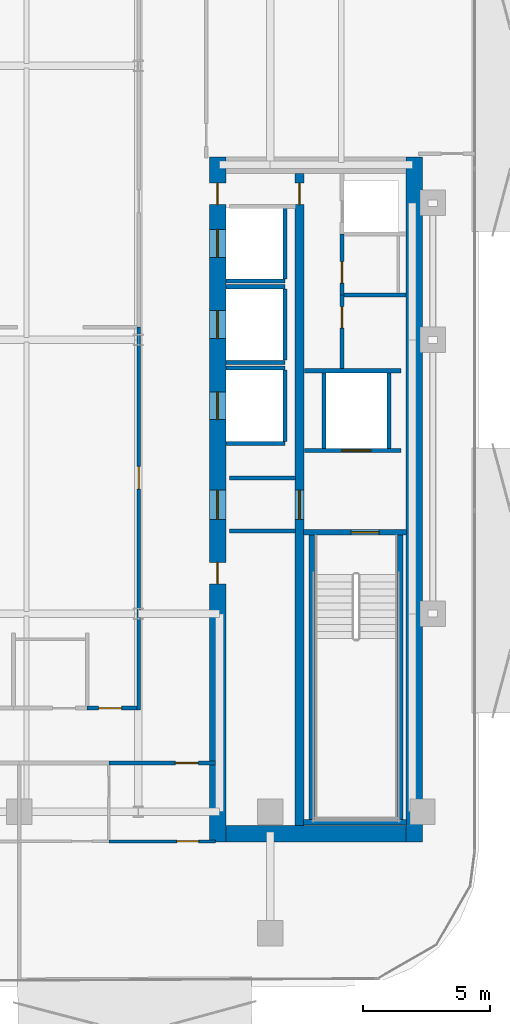
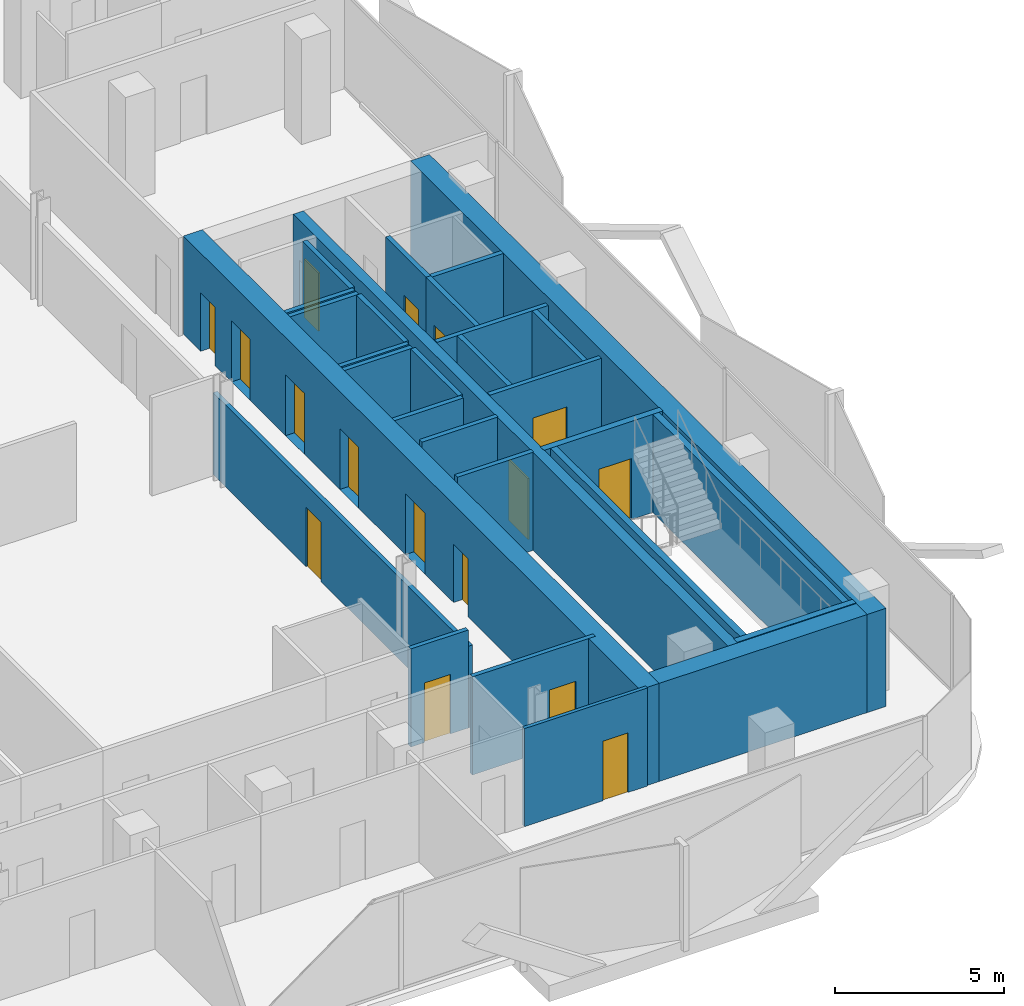
# One storey, part 5 of 17: 29 walls, 16 doors, 16 openings.
"""IFC4 building model written with IfcOpenShell, lengths in metres."""

from ifc_helpers import new_model, si_unit, direction, frame, frame_2d, origin, place, context, subcontext, project, spatial, rectangle, extrude, material, layer, layer_set, type_object, element, fill, save


model = new_model("IFC4")

# Units and contexts
model_context = context("Model", 3, precision=1e-05, world=origin(), true_north=direction((0.0, 1.0)))
body_context = subcontext(model_context, "Body", "Model", "MODEL_VIEW")
ifc_project = project(units=[si_unit("LENGTHUNIT", "METRE"), si_unit("AREAUNIT", "SQUARE_METRE"), si_unit("VOLUMEUNIT", "CUBIC_METRE"), si_unit("PLANEANGLEUNIT", "RADIAN"), si_unit("MASSUNIT", "GRAM", prefix="KILO")], contexts=[model_context])

# Site, building, storey
site_placement = place(None, origin())
site = spatial("IfcSite", under=ifc_project, at=site_placement, CompositionType="ELEMENT")
building_placement = place(site_placement, origin())
building = spatial("IfcBuilding", under=site, at=building_placement, Name="Khairoan Windgate Tower", CompositionType="ELEMENT")
storey_placement = place(building_placement, frame((0.0, 0.0, 180.199951171875)))
storey = spatial("IfcBuildingStorey", under=building, at=storey_placement, Name="L41", CompositionType="ELEMENT", Elevation=180.199951171875)

# Walls
ifc_material_1 = material(Name="Concrete C40/50", Category="concrete")
ifc_layer_1 = layer(ifc_material_1, 0.159912109375, Name="Concrete C40/50")
ifc_layer_set_1 = layer_set([ifc_layer_1], Name="Concrete C40/50")
wall_type_1 = type_object("IfcWallType", Name="Core and Hoistway Enclosure Wall", PredefinedType="STANDARD", material=ifc_layer_set_1)
wall_1_placement = place(storey_placement, frame((12.64990234375, 2.31005859375, 0.0), z_axis=(0.0, 0.0, 1.0), x_axis=(1.0, 0.0, 0.0)))
element("IfcWall", 1, at=wall_1_placement, inside=storey, type_object=wall_type_1, Name="L41 Lift PL7 Hoistway Divider S", PredefinedType="STANDARD", context=body_context, shape_type="SweptSolid", body=[
    extrude(rectangle(XDim=2.340087890625, YDim=0.159912109375, at=frame_2d((1.169921875, 0.0))), origin(), (0.0, 0.0, 1.0), 3.5400390625),
])
wall_2_placement = place(storey_placement, frame((14.989990234375, 2.39990234375, 0.0), z_axis=(0.0, 0.0, 1.0), x_axis=(0.0, 1.0, 0.0)))
element("IfcWall", 2, at=wall_2_placement, inside=storey, type_object=wall_type_1, Name="L41 Lift PL7 Hoistway Back Wall", PredefinedType="STANDARD", context=body_context, shape_type="SweptSolid", body=[
    extrude(rectangle(XDim=2.800048828125, YDim=0.159912109375, at=frame_2d((1.39990234375, 0.0))), origin(), (0.0, 0.0, 1.0), 3.5400390625),
])
for number, where, z_axis, x_axis, name in (
    (3, (12.64990234375, -0.889892578125, 0.0), (0.0, 0.0, 1.0), (1.0, 0.0, 0.0), "L41 Lift PL8 Hoistway Divider S"),
    (4, (12.64990234375, 2.090087890625, 0.0), (0.0, 0.0, 1.0), (1.0, 0.0, 0.0), "L41 Lift PL8 Hoistway Divider N"),
):
    element("IfcWall", number, at=place(storey_placement, frame(where, z_axis=z_axis, x_axis=x_axis)), inside=storey, type_object=wall_type_1, Name=name, PredefinedType="STANDARD", context=body_context, shape_type="SweptSolid", body=[
        extrude(rectangle(XDim=2.340087890625, YDim=0.159912109375, at=frame_2d((1.169921875, 0.0))), origin(), (0.0, 0.0, 1.0), 3.5400390625),
    ])
wall_3_placement = place(storey_placement, frame((14.989990234375, -0.800048828125, 0.0), z_axis=(0.0, 0.0, 1.0), x_axis=(0.0, 1.0, 0.0)))
element("IfcWall", 5, at=wall_3_placement, inside=storey, type_object=wall_type_1, Name="L41 Lift PL8 Hoistway Back Wall", PredefinedType="STANDARD", context=body_context, shape_type="SweptSolid", body=[
    extrude(rectangle(XDim=2.800048828125, YDim=0.159912109375, at=frame_2d((1.39990234375, 0.0))), origin(), (0.0, 0.0, 1.0), 3.5400390625),
])
for number, where, z_axis, x_axis, name in (
    (6, (12.64990234375, -4.090087890625, 0.0), (0.0, 0.0, 1.0), (1.0, 0.0, 0.0), "L41 Lift PL9 Hoistway Divider S"),
    (7, (12.64990234375, -1.110107421875, 0.0), (0.0, 0.0, 1.0), (1.0, 0.0, 0.0), "L41 Lift PL9 Hoistway Divider N"),
):
    element("IfcWall", number, at=place(storey_placement, frame(where, z_axis=z_axis, x_axis=x_axis)), inside=storey, type_object=wall_type_1, Name=name, PredefinedType="STANDARD", context=body_context, shape_type="SweptSolid", body=[
        extrude(rectangle(XDim=2.340087890625, YDim=0.159912109375, at=frame_2d((1.169921875, 0.0))), origin(), (0.0, 0.0, 1.0), 3.5400390625),
    ])
wall_4_placement = place(storey_placement, frame((14.989990234375, -4.0, 0.0), z_axis=(0.0, 0.0, 1.0), x_axis=(0.0, 1.0, 0.0)))
element("IfcWall", 8, at=wall_4_placement, inside=storey, type_object=wall_type_1, Name="L41 Lift PL9 Hoistway Back Wall", PredefinedType="STANDARD", context=body_context, shape_type="SweptSolid", body=[
    extrude(rectangle(XDim=2.800048828125, YDim=0.159912109375, at=frame_2d((1.39990234375, 0.0))), origin(), (0.0, 0.0, 1.0), 3.5400390625),
])

# Wall, opening, door
wall_5_placement = place(storey_placement, frame((15.75, -4.360107421875, 0.0), z_axis=(0.0, 0.0, 1.0), x_axis=(1.0, 0.0, 0.0)))
wall_5 = element("IfcWall", 9, at=wall_5_placement, inside=storey, type_object=wall_type_1, Name="L41 Core Shaft Wall SW-FL1-L41", PredefinedType="STANDARD", context=body_context, shape_type="SweptSolid", body=[
    extrude(rectangle(XDim=3.800048828125, YDim=0.159912109375, at=frame_2d((1.89990234375, 0.0))), origin(), (0.0, 0.0, 1.0), 3.5400390625),
])
opening_1_placement = place(wall_5_placement, frame((1.469970703125, 0.0, 0.0)))
opening_1 = element("IfcOpeningElement", 10, at=opening_1_placement, cuts=wall_5, Name="Opening LD-FL", PredefinedType="OPENING", context=body_context, shape_type="SweptSolid", body=[
    extrude(rectangle(XDim=1.14990234375, YDim=2.199951171875, at=frame_2d((0.574951171875, 1.10009765625))), frame((0.0, 0.08984375, 0.0), z_axis=(0.0, -1.0, 0.0), x_axis=(1.0, 0.0, 0.0)), (0.0, 0.0, 1.0), 0.179931640625),
])
ifc_material_2 = material(Name="Steel S355", Category="steel")
door_type_1 = type_object("IfcDoorType", Name="Firefighting Lift Sliding Landing Door LD-FL 1150x2200", OperationType="DOUBLE_DOOR_SLIDING", PredefinedType="DOOR", material=ifc_material_2)
door_1_placement = place(opening_1_placement, origin())
door_1 = element("IfcDoor", 11, at=door_1_placement, inside=storey, type_object=door_type_1, Name="L41 Firefighting Lift FL1 Landing Door", OperationType="DOUBLE_DOOR_SLIDING", OverallHeight=2.199951171875, OverallWidth=1.14990234375, PredefinedType="DOOR", context=body_context, shape_type="SweptSolid", body=[
    extrude(rectangle(XDim=1.14990234375, YDim=2.199951171875, at=frame_2d((0.574951171875, 1.10009765625))), frame((0.0, 0.02490234375, 0.0), z_axis=(0.0, -1.0, 0.0), x_axis=(1.0, 0.0, 0.0)), (0.0, 0.0, 1.0), 0.050048828125),
])
fill(opening_1, door_1)

# Walls
wall_6_placement = place(storey_placement, frame((15.75, -1.219970703125, 0.0), z_axis=(0.0, 0.0, 1.0), x_axis=(1.0, 0.0, 0.0)))
element("IfcWall", 12, at=wall_6_placement, inside=storey, type_object=wall_type_1, Name="L41 Core Shaft Wall SW-FL1T-L41", PredefinedType="STANDARD", context=body_context, shape_type="SweptSolid", body=[
    extrude(rectangle(XDim=3.800048828125, YDim=0.159912109375, at=frame_2d((1.89990234375, 0.0))), origin(), (0.0, 0.0, 1.0), 3.5400390625),
])
for number, where, z_axis, x_axis, name in (
    (13, (16.52001953125, -4.280029296875, 0.0), (0.0, 0.0, 1.0), (0.0, 1.0, 0.0), "L41 Core Shaft Wall SW-FL1W-L41"),
    (14, (19.080078125, -4.280029296875, 0.0), (0.0, 0.0, 1.0), (0.0, 1.0, 0.0), "L41 Core Shaft Wall SW-FL1E-L41"),
):
    element("IfcWall", number, at=place(storey_placement, frame(where, z_axis=z_axis, x_axis=x_axis)), inside=storey, type_object=wall_type_1, Name=name, PredefinedType="STANDARD", context=body_context, shape_type="SweptSolid", body=[
        extrude(rectangle(XDim=2.97998046875, YDim=0.159912109375, at=frame_2d((1.489990234375, 0.0))), origin(), (0.0, 0.0, 1.0), 3.5400390625),
    ])
for number, where, z_axis, x_axis, name in (
    (15, (12.800048828125, -5.449951171875, 0.0), (0.0, 0.0, 1.0), (1.0, 0.0, 0.0), "L41 Core Shaft Wall SW-EV1-L41"),
    (16, (12.800048828125, -7.5400390625, 0.0), (0.0, 0.0, 1.0), (1.0, 0.0, 0.0), "L41 Core Shaft Wall SW-EV2-L41"),
):
    element("IfcWall", number, at=place(storey_placement, frame(where, z_axis=z_axis, x_axis=x_axis)), inside=storey, type_object=wall_type_1, Name=name, PredefinedType="STANDARD", context=body_context, shape_type="SweptSolid", body=[
        extrude(rectangle(XDim=2.599853515625, YDim=0.159912109375, at=frame_2d((1.2998046875, 0.0))), origin(), (0.0, 0.0, 1.0), 3.5400390625),
    ])

# Wall, opening, door
ifc_material_3 = material(Name="Gypsum Stud Partition", Category="gypsum")
ifc_layer_2 = layer(ifc_material_3, 0.1201171875, Name="Gypsum Stud Partition")
ifc_layer_set_2 = layer_set([ifc_layer_2], Name="Gypsum Stud Partition")
wall_type_2 = type_object("IfcWallType", Name="Internal Room Partition Wall", PredefinedType="PARTITIONING", material=ifc_layer_set_2)
wall_7_placement = place(storey_placement, frame((8.0400390625, -19.77001953125, 0.0), z_axis=(0.0, 0.0, 1.0), x_axis=(1.0, 0.0, 0.0)))
wall_7 = element("IfcWall", 17, at=wall_7_placement, inside=storey, type_object=wall_type_2, Name="L41 Interior Partition 093", PredefinedType="PARTITIONING", context=body_context, shape_type="SweptSolid", body=[
    extrude(rectangle(XDim=4.199951171875, YDim=0.1201171875, at=frame_2d((2.10009765625, 0.0))), origin(), (0.0, 0.0, 1.0), 3.5400390625),
])
opening_2_placement = place(wall_7_placement, frame((2.67822265625, 0.0, 0.0)))
opening_2 = element("IfcOpeningElement", 18, at=opening_2_placement, cuts=wall_7, Name="Opening ID-RM", PredefinedType="OPENING", context=body_context, shape_type="SweptSolid", body=[
    extrude(rectangle(XDim=0.860107421875, YDim=2.14990234375, at=frame_2d((0.43017578125, 1.074951171875))), frame((0.0, 0.070068359375, 0.0), z_axis=(0.0, -1.0, 0.0), x_axis=(1.0, 0.0, 0.0)), (0.0, 0.0, 1.0), 0.14013671875),
])
ifc_material_4 = material(Name="Teak Veneer Timber Leaf", Category="wood")
door_type_2 = type_object("IfcDoorType", Name="Internal Bedroom and Office Door ID-RM 860x2150", OperationType="NOTDEFINED", PredefinedType="DOOR", material=ifc_material_4)
door_2_placement = place(opening_2_placement, origin())
door_2 = element("IfcDoor", 19, at=door_2_placement, inside=storey, type_object=door_type_2, Name="L41 L41-64-L41-65 Door", OperationType="SINGLE_SWING_RIGHT", OverallHeight=2.14990234375, OverallWidth=0.860107421875, PredefinedType="DOOR", context=body_context, shape_type="SweptSolid", body=[
    extrude(rectangle(XDim=0.860107421875, YDim=2.14990234375, at=frame_2d((0.43017578125, 1.074951171875))), frame((0.0, 0.02490234375, 0.0), z_axis=(0.0, -1.0, 0.0), x_axis=(1.0, 0.0, 0.0)), (0.0, 0.0, 1.0), 0.050048828125),
])
fill(opening_2, door_2)

ifc_material_5 = material(Name="Concrete C40/50", Category="concrete")
ifc_layer_3 = layer(ifc_material_5, 0.159912109375, Name="Concrete C40/50")
ifc_layer_set_3 = layer_set([ifc_layer_3], Name="Concrete C40/50")
wall_type_3 = type_object("IfcWallType", Name="Plant and Refuge Compartment Wall", PredefinedType="PARTITIONING", material=ifc_layer_set_3)
wall_8_placement = place(storey_placement, frame((17.22998046875, 1.77001953125, 0.0), z_axis=(0.0, 0.0, 1.0), x_axis=(0.0, 1.0, 0.0)))
wall_8 = element("IfcWall", 20, at=wall_8_placement, inside=storey, type_object=wall_type_3, Name="L41 Interior Partition 008", PredefinedType="PARTITIONING", context=body_context, shape_type="SweptSolid", body=[
    extrude(rectangle(XDim=2.39990234375, YDim=0.159912109375, at=frame_2d((1.199951171875, 0.0))), origin(), (0.0, 0.0, 1.0), 3.5400390625),
])
opening_3_placement = place(wall_8_placement, frame((0.4599609375, 0.0, 0.0)))
opening_3 = element("IfcOpeningElement", 21, at=opening_3_placement, cuts=wall_8, Name="Opening FD-SRV", PredefinedType="OPENING", context=body_context, shape_type="SweptSolid", body=[
    extrude(rectangle(XDim=0.85009765625, YDim=2.10009765625, at=frame_2d((0.425048828125, 1.050048828125))), frame((0.0, 0.08984375, 0.0), z_axis=(0.0, -1.0, 0.0), x_axis=(1.0, 0.0, 0.0)), (0.0, 0.0, 1.0), 0.179931640625),
])
ifc_material_6 = material(Name="Steel S355", Category="steel")
door_type_3 = type_object("IfcDoorType", Name="Core Service and Riser Fire Door FD-SRV 850x2100", OperationType="NOTDEFINED", PredefinedType="DOOR", material=ifc_material_6)
door_3_placement = place(opening_3_placement, origin())
door_3 = element("IfcDoor", 22, at=door_3_placement, inside=storey, type_object=door_type_3, Name="L41 L41-18-L41-20 Door", OperationType="SINGLE_SWING_RIGHT", OverallHeight=2.10009765625, OverallWidth=0.85009765625, PredefinedType="DOOR", context=body_context, shape_type="SweptSolid", body=[
    extrude(rectangle(XDim=0.85009765625, YDim=2.10009765625, at=frame_2d((0.425048828125, 1.050048828125))), frame((0.0, 0.02490234375, 0.0), z_axis=(0.0, -1.0, 0.0), x_axis=(1.0, 0.0, 0.0)), (0.0, 0.0, 1.0), 0.050048828125),
])
fill(opening_3, door_3)

wall_9_placement = place(storey_placement, frame((17.22998046875, -1.139892578125, 0.0), z_axis=(0.0, 0.0, 1.0), x_axis=(0.0, 1.0, 0.0)))
wall_9 = element("IfcWall", 23, at=wall_9_placement, inside=storey, type_object=wall_type_3, Name="L41 Interior Partition 009", PredefinedType="PARTITIONING", context=body_context, shape_type="SweptSolid", body=[
    extrude(rectangle(XDim=2.909912109375, YDim=0.159912109375, at=frame_2d((1.455078125, 0.0))), origin(), (0.0, 0.0, 1.0), 3.5400390625),
])
opening_4_placement = place(wall_9_placement, frame((1.60009765625, 0.0, 0.0)))
opening_4 = element("IfcOpeningElement", 24, at=opening_4_placement, cuts=wall_9, Name="Opening FD-SRV", PredefinedType="OPENING", context=body_context, shape_type="SweptSolid", body=[
    extrude(rectangle(XDim=0.85009765625, YDim=2.10009765625, at=frame_2d((0.425048828125, 1.050048828125))), frame((0.0, 0.08984375, 0.0), z_axis=(0.0, -1.0, 0.0), x_axis=(1.0, 0.0, 0.0)), (0.0, 0.0, 1.0), 0.179931640625),
])
door_4_placement = place(opening_4_placement, origin())
door_4 = element("IfcDoor", 25, at=door_4_placement, inside=storey, type_object=door_type_3, Name="L41 L41-18-L41-21 Door", OperationType="SINGLE_SWING_LEFT", OverallHeight=2.10009765625, OverallWidth=0.85009765625, PredefinedType="DOOR", context=body_context, shape_type="SweptSolid", body=[
    extrude(rectangle(XDim=0.85009765625, YDim=2.10009765625, at=frame_2d((0.425048828125, 1.050048828125))), frame((0.0, 0.02490234375, 0.0), z_axis=(0.0, -1.0, 0.0), x_axis=(1.0, 0.0, 0.0)), (0.0, 0.0, 1.0), 0.050048828125),
])
fill(opening_4, door_4)

# Wall
wall_10_placement = place(storey_placement, frame((17.31005859375, 1.77001953125, 0.0), z_axis=(0.0, 0.0, 1.0), x_axis=(1.0, 0.0, 0.0)))
element("IfcWall", 26, at=wall_10_placement, inside=storey, type_object=wall_type_3, Name="L41 Interior Partition 011", PredefinedType="PARTITIONING", context=body_context, shape_type="SweptSolid", body=[
    extrude(rectangle(XDim=2.43994140625, YDim=0.159912109375, at=frame_2d((1.219970703125, 0.0))), origin(), (0.0, 0.0, 1.0), 3.5400390625),
])

# Wall, opening, door
ifc_material_7 = material(Name="Acoustic Fire-Rated Gypsum Partition", Category="gypsum")
ifc_layer_4 = layer(ifc_material_7, 0.14990234375, Name="Acoustic Fire-Rated Gypsum Partition")
ifc_layer_set_4 = layer_set([ifc_layer_4], Name="Acoustic Fire-Rated Gypsum Partition")
wall_type_4 = type_object("IfcWallType", Name="Rated Corridor Partition Wall", PredefinedType="PARTITIONING", material=ifc_layer_set_4)
wall_11_placement = place(storey_placement, frame((9.219970703125, -14.594970703125, 0.0), z_axis=(0.0, 0.0, 1.0), x_axis=(0.0, 1.0, 0.0)))
wall_11 = element("IfcWall", 27, at=wall_11_placement, inside=storey, type_object=wall_type_4, Name="L41 Interior Partition 014", PredefinedType="PARTITIONING", context=body_context, shape_type="SweptSolid", body=[
    extrude(rectangle(XDim=15.094970703125, YDim=0.14990234375, at=frame_2d((7.54736328125, 0.0))), origin(), (0.0, 0.0, 1.0), 2.9521484375),
])
opening_5_placement = place(wall_11_placement, frame((8.70654296875, 0.0, 0.0)))
opening_5 = element("IfcOpeningElement", 28, at=opening_5_placement, cuts=wall_11, Name="Opening FD-ENT", PredefinedType="OPENING", context=body_context, shape_type="SweptSolid", body=[
    extrude(rectangle(XDim=0.89990234375, YDim=2.14990234375, at=frame_2d((0.449951171875, 1.074951171875))), frame((0.0, 0.0849609375, 0.0), z_axis=(0.0, -1.0, 0.0), x_axis=(1.0, 0.0, 0.0)), (0.0, 0.0, 1.0), 0.169921875),
])
ifc_material_8 = material(Name="Timber Fire-Rated Core", Category="wood")
door_type_4 = type_object("IfcDoorType", Name="Unit and Office Fire Entrance Door FD-ENT 900x2150", OperationType="NOTDEFINED", PredefinedType="DOOR", material=ifc_material_8)
door_5_placement = place(opening_5_placement, origin())
door_5 = element("IfcDoor", 29, at=door_5_placement, inside=storey, type_object=door_type_4, Name="L41 L41-29-L41-36 Door", OperationType="SINGLE_SWING_RIGHT", OverallHeight=2.14990234375, OverallWidth=0.89990234375, PredefinedType="DOOR", context=body_context, shape_type="SweptSolid", body=[
    extrude(rectangle(XDim=0.89990234375, YDim=2.14990234375, at=frame_2d((0.449951171875, 1.074951171875))), frame((0.0, 0.02490234375, 0.0), z_axis=(0.0, -1.0, 0.0), x_axis=(1.0, 0.0, 0.0)), (0.0, 0.0, 1.0), 0.050048828125),
])
fill(opening_5, door_5)

wall_12_placement = place(storey_placement, frame((7.179931640625, -14.52001953125, 0.0), z_axis=(0.0, 0.0, 1.0), x_axis=(1.0, 0.0, 0.0)))
wall_12 = element("IfcWall", 30, at=wall_12_placement, inside=storey, type_object=wall_type_4, Name="L41 Interior Partition 035", PredefinedType="PARTITIONING", context=body_context, shape_type="SweptSolid", body=[
    extrude(rectangle(XDim=1.965087890625, YDim=0.14990234375, at=frame_2d((0.982421875, 0.0))), origin(), (0.0, 0.0, 1.0), 3.5400390625),
])
opening_6_placement = place(wall_12_placement, frame((0.4599609375, 0.0, 0.0)))
opening_6 = element("IfcOpeningElement", 31, at=opening_6_placement, cuts=wall_12, Name="Opening FD-ENT", PredefinedType="OPENING", context=body_context, shape_type="SweptSolid", body=[
    extrude(rectangle(XDim=0.89990234375, YDim=2.14990234375, at=frame_2d((0.449951171875, 1.074951171875))), frame((0.0, 0.0849609375, 0.0), z_axis=(0.0, -1.0, 0.0), x_axis=(1.0, 0.0, 0.0)), (0.0, 0.0, 1.0), 0.169921875),
])
door_6_placement = place(opening_6_placement, origin())
door_6 = element("IfcDoor", 32, at=door_6_placement, inside=storey, type_object=door_type_4, Name="L41 L41-31-L41-36 Door", OperationType="SINGLE_SWING_RIGHT", OverallHeight=2.14990234375, OverallWidth=0.89990234375, PredefinedType="DOOR", context=body_context, shape_type="SweptSolid", body=[
    extrude(rectangle(XDim=0.89990234375, YDim=2.14990234375, at=frame_2d((0.449951171875, 1.074951171875))), frame((0.0, 0.02490234375, 0.0), z_axis=(0.0, -1.0, 0.0), x_axis=(1.0, 0.0, 0.0)), (0.0, 0.0, 1.0), 0.050048828125),
])
fill(opening_6, door_6)

wall_13_placement = place(storey_placement, frame((8.0400390625, -16.679931640625, 0.0), z_axis=(0.0, 0.0, 1.0), x_axis=(1.0, 0.0, 0.0)))
wall_13 = element("IfcWall", 33, at=wall_13_placement, inside=storey, type_object=wall_type_4, Name="L41 Interior Partition 043", PredefinedType="PARTITIONING", context=body_context, shape_type="SweptSolid", body=[
    extrude(rectangle(XDim=4.199951171875, YDim=0.14990234375, at=frame_2d((2.10009765625, 0.0))), origin(), (0.0, 0.0, 1.0), 3.5400390625),
])
opening_7_placement = place(wall_13_placement, frame((2.62353515625, 0.0, 0.0)))
opening_7 = element("IfcOpeningElement", 34, at=opening_7_placement, cuts=wall_13, Name="Opening FD-ENT", PredefinedType="OPENING", context=body_context, shape_type="SweptSolid", body=[
    extrude(rectangle(XDim=0.89990234375, YDim=2.14990234375, at=frame_2d((0.449951171875, 1.074951171875))), frame((0.0, 0.0849609375, 0.0), z_axis=(0.0, -1.0, 0.0), x_axis=(1.0, 0.0, 0.0)), (0.0, 0.0, 1.0), 0.169921875),
])
door_7_placement = place(opening_7_placement, origin())
door_7 = element("IfcDoor", 35, at=door_7_placement, inside=storey, type_object=door_type_4, Name="L41 L41-31-L41-64 Door", OperationType="SINGLE_SWING_RIGHT", OverallHeight=2.14990234375, OverallWidth=0.89990234375, PredefinedType="DOOR", context=body_context, shape_type="SweptSolid", body=[
    extrude(rectangle(XDim=0.89990234375, YDim=2.14990234375, at=frame_2d((0.449951171875, 1.074951171875))), frame((0.0, 0.02490234375, 0.0), z_axis=(0.0, -1.0, 0.0), x_axis=(1.0, 0.0, 0.0)), (0.0, 0.0, 1.0), 0.050048828125),
])
fill(opening_7, door_7)

# Wall, openings, doors
ifc_material_9 = material(Name="Concrete C60/75", Category="concrete")
ifc_layer_5 = layer(ifc_material_9, 0.64990234375, Name="Concrete C60/75")
ifc_layer_set_5 = layer_set([ifc_layer_5], Name="Concrete C60/75")
wall_type_5 = type_object("IfcWallType", Name="Shear Wall CW-E2 650mm", PredefinedType="SHEAR", material=ifc_layer_set_5)
wall_14_placement = place(storey_placement, frame((12.324951171875, -19.800048828125, 0.0), z_axis=(0.0, 0.0, 1.0), x_axis=(0.0, 1.0, 0.0)))
wall_14 = element("IfcWall", 36, at=wall_14_placement, inside=storey, type_object=wall_type_5, Name="E Core West Shear Wall L41", PredefinedType="SHEAR", context=body_context, shape_type="SweptSolid", body=[
    extrude(rectangle(XDim=27.0, YDim=0.64990234375, at=frame_2d((13.5, 0.0))), origin(), (0.0, 0.0, 1.0), 3.5400390625),
])
opening_8_placement = place(wall_14_placement, frame((23.050048828125, 0.0, 0.0)))
opening_8 = element("IfcOpeningElement", 37, at=opening_8_placement, cuts=wall_14, Name="Opening LD-PL", PredefinedType="OPENING", context=body_context, shape_type="SweptSolid", body=[
    extrude(rectangle(XDim=1.10009765625, YDim=2.199951171875, at=frame_2d((0.550048828125, 1.10009765625))), frame((0.0, 0.3349609375, 0.0), z_axis=(0.0, -1.0, 0.0), x_axis=(1.0, 0.0, 0.0)), (0.0, 0.0, 1.0), 0.669921875),
])
opening_9_placement = place(wall_14_placement, frame((19.85009765625, 0.0, 0.0)))
opening_9 = element("IfcOpeningElement", 38, at=opening_9_placement, cuts=wall_14, Name="Opening LD-PL", PredefinedType="OPENING", context=body_context, shape_type="SweptSolid", body=[
    extrude(rectangle(XDim=1.10009765625, YDim=2.199951171875, at=frame_2d((0.550048828125, 1.10009765625))), frame((0.0, 0.3349609375, 0.0), z_axis=(0.0, -1.0, 0.0), x_axis=(1.0, 0.0, 0.0)), (0.0, 0.0, 1.0), 0.669921875),
])
opening_10_placement = place(wall_14_placement, frame((16.64990234375, 0.0, 0.0)))
opening_10 = element("IfcOpeningElement", 39, at=opening_10_placement, cuts=wall_14, Name="Opening LD-PL", PredefinedType="OPENING", context=body_context, shape_type="SweptSolid", body=[
    extrude(rectangle(XDim=1.10009765625, YDim=2.199951171875, at=frame_2d((0.550048828125, 1.10009765625))), frame((0.0, 0.3349609375, 0.0), z_axis=(0.0, -1.0, 0.0), x_axis=(1.0, 0.0, 0.0)), (0.0, 0.0, 1.0), 0.669921875),
])
opening_11_placement = place(wall_14_placement, frame((10.175048828125, 0.0, 0.0)))
opening_11 = element("IfcOpeningElement", 40, at=opening_11_placement, cuts=wall_14, Name="Opening FD-SRV", PredefinedType="OPENING", context=body_context, shape_type="SweptSolid", body=[
    extrude(rectangle(XDim=0.85009765625, YDim=2.10009765625, at=frame_2d((0.425048828125, 1.050048828125))), frame((0.0, 0.3349609375, 0.0), z_axis=(0.0, -1.0, 0.0), x_axis=(1.0, 0.0, 0.0)), (0.0, 0.0, 1.0), 0.669921875),
])
opening_12_placement = place(wall_14_placement, frame((12.72509765625, 0.0, 0.0)))
opening_12 = element("IfcOpeningElement", 41, at=opening_12_placement, cuts=wall_14, Name="Opening FD-FFL", PredefinedType="OPENING", context=body_context, shape_type="SweptSolid", body=[
    extrude(rectangle(XDim=1.14990234375, YDim=2.199951171875, at=frame_2d((0.574951171875, 1.10009765625))), frame((0.0, 0.3349609375, 0.0), z_axis=(0.0, -1.0, 0.0), x_axis=(1.0, 0.0, 0.0)), (0.0, 0.0, 1.0), 0.669921875),
])
opening_13_placement = place(wall_14_placement, frame((25.125, 0.0, 0.0)))
opening_13 = element("IfcOpeningElement", 42, at=opening_13_placement, cuts=wall_14, Name="Opening FD-SRV", PredefinedType="OPENING", context=body_context, shape_type="SweptSolid", body=[
    extrude(rectangle(XDim=0.85009765625, YDim=2.10009765625, at=frame_2d((0.425048828125, 1.050048828125))), frame((0.0, 0.3349609375, 0.0), z_axis=(0.0, -1.0, 0.0), x_axis=(1.0, 0.0, 0.0)), (0.0, 0.0, 1.0), 0.669921875),
])
door_8_placement = place(opening_11_placement, origin())
door_8 = element("IfcDoor", 43, at=door_8_placement, inside=storey, type_object=door_type_3, Name="L41 East Core Service Room Door 1", OperationType="SINGLE_SWING_LEFT", OverallHeight=2.10009765625, OverallWidth=0.85009765625, PredefinedType="DOOR", context=body_context, shape_type="SweptSolid", body=[
    extrude(rectangle(XDim=0.85009765625, YDim=2.10009765625, at=frame_2d((0.425048828125, 1.050048828125))), frame((0.0, 0.02490234375, 0.0), z_axis=(0.0, -1.0, 0.0), x_axis=(1.0, 0.0, 0.0)), (0.0, 0.0, 1.0), 0.050048828125),
])
fill(opening_11, door_8)
door_9_placement = place(opening_13_placement, origin())
door_9 = element("IfcDoor", 44, at=door_9_placement, inside=storey, type_object=door_type_3, Name="L41 East Core Service Vestibule Outer Door", OperationType="SINGLE_SWING_RIGHT", OverallHeight=2.10009765625, OverallWidth=0.85009765625, PredefinedType="DOOR", context=body_context, shape_type="SweptSolid", body=[
    extrude(rectangle(XDim=0.85009765625, YDim=2.10009765625, at=frame_2d((0.425048828125, 1.050048828125))), frame((0.0, 0.02490234375, 0.0), z_axis=(0.0, -1.0, 0.0), x_axis=(1.0, 0.0, 0.0)), (0.0, 0.0, 1.0), 0.050048828125),
])
fill(opening_13, door_9)
ifc_material_10 = material(Name="Steel S355", Category="steel")
door_type_5 = type_object("IfcDoorType", Name="Firefighting Lobby Fire Door FD-FFL 1150x2200", OperationType="NOTDEFINED", PredefinedType="DOOR", material=ifc_material_10)
door_10_placement = place(opening_12_placement, origin())
door_10 = element("IfcDoor", 45, at=door_10_placement, inside=storey, type_object=door_type_5, Name="L41 East Core Vestibule Entry Door", OperationType="SINGLE_SWING_RIGHT", OverallHeight=2.199951171875, OverallWidth=1.14990234375, PredefinedType="DOOR", context=body_context, shape_type="SweptSolid", body=[
    extrude(rectangle(XDim=1.14990234375, YDim=2.199951171875, at=frame_2d((0.574951171875, 1.10009765625))), frame((0.0, 0.02490234375, 0.0), z_axis=(0.0, -1.0, 0.0), x_axis=(1.0, 0.0, 0.0)), (0.0, 0.0, 1.0), 0.050048828125),
])
fill(opening_12, door_10)
ifc_material_11 = material(Name="Anodised Bronze Aluminium 6063-T6", Category="aluminium")
door_type_6 = type_object("IfcDoorType", Name="Passenger Lift Sliding Landing Door LD-PL 1100x2200", OperationType="DOUBLE_DOOR_SLIDING", PredefinedType="DOOR", material=ifc_material_11)
door_11_placement = place(opening_8_placement, origin())
door_11 = element("IfcDoor", 46, at=door_11_placement, inside=storey, type_object=door_type_6, Name="L41 Lift PL7 Sliding Landing Door", OperationType="DOUBLE_DOOR_SLIDING", OverallHeight=2.199951171875, OverallWidth=1.10009765625, PredefinedType="DOOR", context=body_context, shape_type="SweptSolid", body=[
    extrude(rectangle(XDim=1.10009765625, YDim=2.199951171875, at=frame_2d((0.550048828125, 1.10009765625))), frame((0.0, 0.02490234375, 0.0), z_axis=(0.0, -1.0, 0.0), x_axis=(1.0, 0.0, 0.0)), (0.0, 0.0, 1.0), 0.050048828125),
])
fill(opening_8, door_11)
door_12_placement = place(opening_9_placement, origin())
door_12 = element("IfcDoor", 47, at=door_12_placement, inside=storey, type_object=door_type_6, Name="L41 Lift PL8 Sliding Landing Door", OperationType="DOUBLE_DOOR_SLIDING", OverallHeight=2.199951171875, OverallWidth=1.10009765625, PredefinedType="DOOR", context=body_context, shape_type="SweptSolid", body=[
    extrude(rectangle(XDim=1.10009765625, YDim=2.199951171875, at=frame_2d((0.550048828125, 1.10009765625))), frame((0.0, 0.02490234375, 0.0), z_axis=(0.0, -1.0, 0.0), x_axis=(1.0, 0.0, 0.0)), (0.0, 0.0, 1.0), 0.050048828125),
])
fill(opening_9, door_12)
door_13_placement = place(opening_10_placement, origin())
door_13 = element("IfcDoor", 48, at=door_13_placement, inside=storey, type_object=door_type_6, Name="L41 Lift PL9 Sliding Landing Door", OperationType="DOUBLE_DOOR_SLIDING", OverallHeight=2.199951171875, OverallWidth=1.10009765625, PredefinedType="DOOR", context=body_context, shape_type="SweptSolid", body=[
    extrude(rectangle(XDim=1.10009765625, YDim=2.199951171875, at=frame_2d((0.550048828125, 1.10009765625))), frame((0.0, 0.02490234375, 0.0), z_axis=(0.0, -1.0, 0.0), x_axis=(1.0, 0.0, 0.0)), (0.0, 0.0, 1.0), 0.050048828125),
])
fill(opening_10, door_13)

# Walls
wall_15_placement = place(storey_placement, frame((20.074951171875, -19.800048828125, 0.0), z_axis=(0.0, 0.0, 1.0), x_axis=(0.0, 1.0, 0.0)))
element("IfcWall", 49, at=wall_15_placement, inside=storey, type_object=wall_type_5, Name="E Core East Shear Wall L41", PredefinedType="SHEAR", context=body_context, shape_type="SweptSolid", body=[
    extrude(rectangle(XDim=27.0, YDim=0.64990234375, at=frame_2d((13.5, 0.0))), origin(), (0.0, 0.0, 1.0), 3.5400390625),
])
wall_16_placement = place(storey_placement, frame((12.64990234375, -19.47509765625, 0.0), z_axis=(0.0, 0.0, 1.0), x_axis=(1.0, 0.0, 0.0)))
element("IfcWall", 50, at=wall_16_placement, inside=storey, type_object=wall_type_5, Name="E Core South Shear Wall L41", PredefinedType="SHEAR", context=body_context, shape_type="SweptSolid", body=[
    extrude(rectangle(XDim=7.10009765625, YDim=0.64990234375, at=frame_2d((3.550048828125, 0.0))), origin(), (0.0, 0.0, 1.0), 3.5400390625),
])

# Wall, openings, doors
ifc_material_12 = material(Name="Concrete C60/75", Category="concrete")
ifc_layer_6 = layer(ifc_material_12, 0.35009765625, Name="Concrete C60/75")
ifc_layer_set_6 = layer_set([ifc_layer_6], Name="Concrete C60/75")
wall_type_6 = type_object("IfcWallType", Name="Shear Wall SW-1 350mm", PredefinedType="SHEAR", material=ifc_layer_set_6)
wall_17_placement = place(storey_placement, frame((15.550048828125, -19.14990234375, 0.0), z_axis=(0.0, 0.0, 1.0), x_axis=(0.0, 1.0, 0.0)))
wall_17 = element("IfcWall", 51, at=wall_17_placement, inside=storey, type_object=wall_type_6, Name="E Core Spine Shear Wall L41", PredefinedType="SHEAR", context=body_context, shape_type="SweptSolid", body=[
    extrude(rectangle(XDim=25.699951171875, YDim=0.35009765625, at=frame_2d((12.85009765625, 0.0))), origin(), (0.0, 0.0, 1.0), 3.5400390625),
])
opening_14_placement = place(wall_17_placement, frame((12.074951171875, 0.0, 0.0)))
opening_14 = element("IfcOpeningElement", 52, at=opening_14_placement, cuts=wall_17, Name="Opening FD-FFL", PredefinedType="OPENING", context=body_context, shape_type="SweptSolid", body=[
    extrude(rectangle(XDim=1.14990234375, YDim=2.199951171875, at=frame_2d((0.574951171875, 1.10009765625))), frame((0.0, 0.18505859375, 0.0), z_axis=(0.0, -1.0, 0.0), x_axis=(1.0, 0.0, 0.0)), (0.0, 0.0, 1.0), 0.3701171875),
])
opening_15_placement = place(wall_17_placement, frame((24.47509765625, 0.0, 0.0)))
opening_15 = element("IfcOpeningElement", 53, at=opening_15_placement, cuts=wall_17, Name="Opening FD-SRV", PredefinedType="OPENING", context=body_context, shape_type="SweptSolid", body=[
    extrude(rectangle(XDim=0.85009765625, YDim=2.10009765625, at=frame_2d((0.425048828125, 1.050048828125))), frame((0.0, 0.18505859375, 0.0), z_axis=(0.0, -1.0, 0.0), x_axis=(1.0, 0.0, 0.0)), (0.0, 0.0, 1.0), 0.3701171875),
])
door_14_placement = place(opening_15_placement, origin())
door_14 = element("IfcDoor", 54, at=door_14_placement, inside=storey, type_object=door_type_3, Name="L41 East Core Service Passage Inner Door", OperationType="SINGLE_SWING_LEFT", OverallHeight=2.10009765625, OverallWidth=0.85009765625, PredefinedType="DOOR", context=body_context, shape_type="SweptSolid", body=[
    extrude(rectangle(XDim=0.85009765625, YDim=2.10009765625, at=frame_2d((0.425048828125, 1.050048828125))), frame((0.0, 0.02490234375, 0.0), z_axis=(0.0, -1.0, 0.0), x_axis=(1.0, 0.0, 0.0)), (0.0, 0.0, 1.0), 0.050048828125),
])
fill(opening_15, door_14)
door_15_placement = place(opening_14_placement, origin())
door_15 = element("IfcDoor", 55, at=door_15_placement, inside=storey, type_object=door_type_5, Name="L41 East Firefighting Lobby Fire Door", OperationType="SINGLE_SWING_LEFT", OverallHeight=2.199951171875, OverallWidth=1.14990234375, PredefinedType="DOOR", context=body_context, shape_type="SweptSolid", body=[
    extrude(rectangle(XDim=1.14990234375, YDim=2.199951171875, at=frame_2d((0.574951171875, 1.10009765625))), frame((0.0, 0.02490234375, 0.0), z_axis=(0.0, -1.0, 0.0), x_axis=(1.0, 0.0, 0.0)), (0.0, 0.0, 1.0), 0.050048828125),
])
fill(opening_14, door_15)

# Walls
ifc_material_13 = material(Name="Concrete C50/60", Category="concrete")
ifc_layer_7 = layer(ifc_material_13, 0.219970703125, Name="Concrete C50/60")
ifc_layer_set_7 = layer_set([ifc_layer_7], Name="Concrete C50/60")
wall_type_7 = type_object("IfcWallType", Name="Shear Wall SW-ST 220mm", PredefinedType="SHEAR", material=ifc_layer_set_7)
for number, where, z_axis, x_axis, name in (
    (56, (16.0400390625, -19.010009765625, 0.0), (0.0, 0.0, 1.0), (0.0, 1.0, 0.0), "L41 Stair ST1 West Bearing Wall"),
    (57, (19.530029296875, -19.010009765625, 0.0), (0.0, 0.0, 1.0), (0.0, 1.0, 0.0), "L41 Stair ST1 East Bearing Wall"),
):
    element("IfcWall", number, at=place(storey_placement, frame(where, z_axis=z_axis, x_axis=x_axis)), inside=storey, type_object=wall_type_7, Name=name, PredefinedType="SHEAR", context=body_context, shape_type="SweptSolid", body=[
        extrude(rectangle(XDim=11.419921875, YDim=0.219970703125, at=frame_2d((5.7099609375, 0.0))), origin(), (0.0, 0.0, 1.0), 3.5400390625),
    ])
wall_18_placement = place(storey_placement, frame((15.705078125, -19.010009765625, 0.0), z_axis=(0.0, 0.0, 1.0), x_axis=(1.0, 0.0, 0.0)))
element("IfcWall", 58, at=wall_18_placement, inside=storey, type_object=wall_type_7, Name="L41 Stair ST1 South Bearing Wall", PredefinedType="SHEAR", context=body_context, shape_type="SweptSolid", body=[
    extrude(rectangle(XDim=4.06494140625, YDim=0.219970703125, at=frame_2d((2.032470703125, 0.0))), origin(), (0.0, 0.0, 1.0), 3.5400390625),
])

# Wall, opening, door
wall_19_placement = place(storey_placement, frame((19.77001953125, -7.590087890625, 0.0), z_axis=(0.0, 0.0, 1.0), x_axis=(-1.0, 0.0, 0.0)))
wall_19 = element("IfcWall", 59, at=wall_19_placement, inside=storey, type_object=wall_type_7, Name="L41 Stair ST1 North Bearing Wall", PredefinedType="SHEAR", context=body_context, shape_type="SweptSolid", body=[
    extrude(rectangle(XDim=4.06494140625, YDim=0.219970703125, at=frame_2d((2.032470703125, 0.0))), origin(), (0.0, 0.0, 1.0), 3.5400390625),
])
opening_16_placement = place(wall_19_placement, frame((1.080078125, 0.0, 0.0)))
opening_16 = element("IfcOpeningElement", 60, at=opening_16_placement, cuts=wall_19, Name="Opening FD-ST", PredefinedType="OPENING", context=body_context, shape_type="SweptSolid", body=[
    extrude(rectangle(XDim=1.10009765625, YDim=2.199951171875, at=frame_2d((0.550048828125, 1.10009765625))), frame((0.0, 0.119873046875, 0.0), z_axis=(0.0, -1.0, 0.0), x_axis=(1.0, 0.0, 0.0)), (0.0, 0.0, 1.0), 0.239990234375),
])
ifc_material_14 = material(Name="Steel S355", Category="steel")
door_type_7 = type_object("IfcDoorType", Name="Smokeproof Stair Fire Door FD-ST 1100x2200", OperationType="NOTDEFINED", PredefinedType="DOOR", material=ifc_material_14)
door_16_placement = place(opening_16_placement, origin())
door_16 = element("IfcDoor", 61, at=door_16_placement, inside=storey, type_object=door_type_7, Name="L41 Stair ST1 Fire Door", OperationType="SINGLE_SWING_LEFT", OverallHeight=2.199951171875, OverallWidth=1.10009765625, PredefinedType="DOOR", context=body_context, shape_type="SweptSolid", body=[
    extrude(rectangle(XDim=1.10009765625, YDim=2.199951171875, at=frame_2d((0.550048828125, 1.10009765625))), frame((0.0, 0.02490234375, 0.0), z_axis=(0.0, -1.0, 0.0), x_axis=(1.0, 0.0, 0.0)), (0.0, 0.0, 1.0), 0.050048828125),
])
fill(opening_16, door_16)

save(model, "model.ifc")
